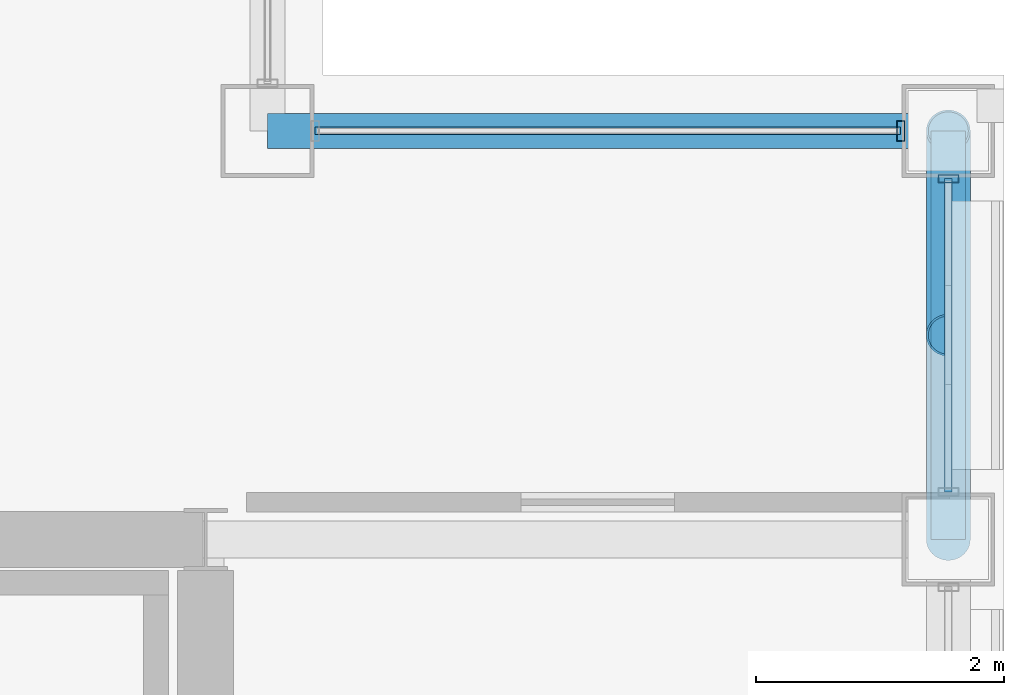
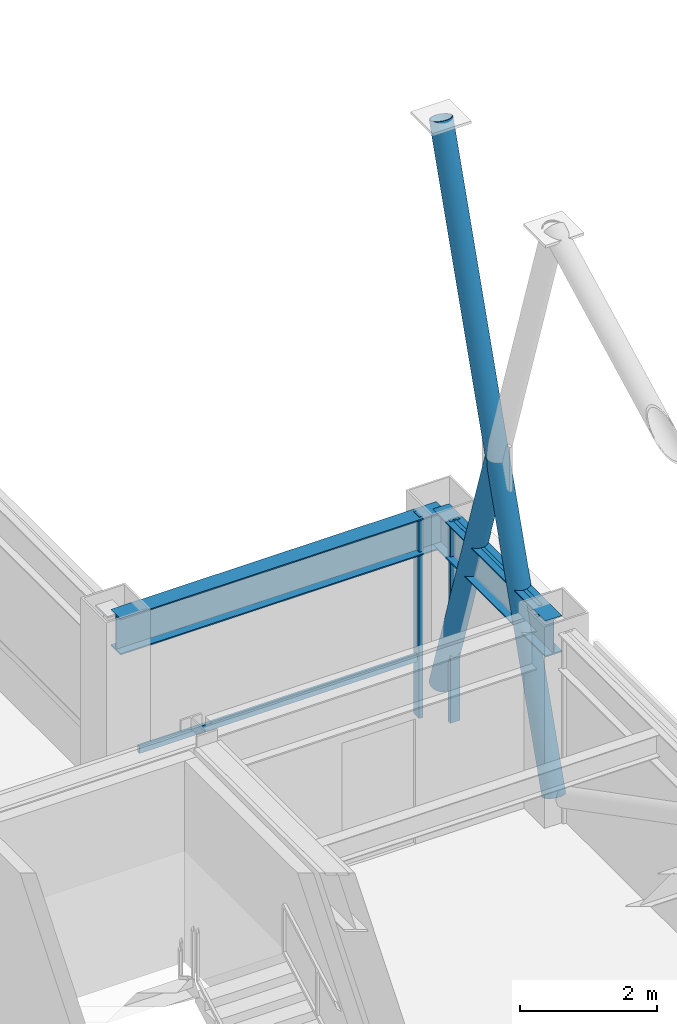
# One storey, part 24 of 32: 6 members, 2 beams, 2 elements without a shape of their own.
"""IFC4 building model written with IfcOpenShell, lengths in metres."""

from ifc_helpers import new_model, si_unit, direction, frame, origin, origin_2d, place, context, subcontext, project, spatial, hollow_rectangle, hollow_circle, i_section, extrude, material, layer, layer_set, material_profile, profile_set, type_object, element, aggregate, save


model = new_model("IFC4")

# Units and contexts
model_context = context("Model", 3, precision=1e-05, world=origin(), true_north=direction((0.0, 1.0)))
body_context = subcontext(model_context, "Body", "Model", "MODEL_VIEW")
ifc_project = project(units=[si_unit("LENGTHUNIT", "METRE"), si_unit("AREAUNIT", "SQUARE_METRE"), si_unit("VOLUMEUNIT", "CUBIC_METRE"), si_unit("PLANEANGLEUNIT", "RADIAN"), si_unit("MASSUNIT", "GRAM", prefix="KILO")], contexts=[model_context])

# Site, building, storey
site_placement = place(None, origin())
site = spatial("IfcSite", under=ifc_project, at=site_placement, CompositionType="ELEMENT")
building_placement = place(site_placement, origin())
building = spatial("IfcBuilding", under=site, at=building_placement, Name="Brelmoor Portico Tower", CompositionType="ELEMENT")
storey_placement = place(building_placement, frame((0.0, 0.0, 162.300048828125)))
storey = spatial("IfcBuildingStorey", under=building, at=storey_placement, Name="L42", CompositionType="ELEMENT", Elevation=162.300048828125)

# Beams
ifc_material_1 = material(Name="Steel Q355B", Category="steel")
ifc_material_profile_1 = material_profile(ifc_material_1, i_section(OverallWidth=0.280029296875, OverallDepth=0.64990234375, WebThickness=0.012939453125, FlangeThickness=0.02197265625, at=origin_2d()), Name="HN 650x280x13x22")
ifc_profile_set_1 = profile_set([ifc_material_profile_1], Name="Steel Q355B")
beam_type = type_object("IfcBeamType", Name="BM-SP-650", PredefinedType="SPANDREL", material=ifc_profile_set_1)
beam_1_placement = place(storey_placement, frame((15.050048828125, 13.050048828125, 3.074951171875), z_axis=(1.0, 0.0, 0.0), x_axis=(0.0, 1.0, 0.0)))
element("IfcBeam", 1, at=beam_1_placement, inside=storey, type_object=beam_type, Name="L42 Perimeter Spandrel Beam SP-07", PredefinedType="SPANDREL", context=body_context, shape_type="SweptSolid", body=[
    extrude(i_section(OverallWidth=0.280029296875, OverallDepth=0.64990234375, WebThickness=0.012939453125, FlangeThickness=0.02197265625, at=origin_2d()), origin(), (0.0, 0.0, 1.0), 5.5),
])
beam_2_placement = place(storey_placement, frame((20.550048828125, 9.75, 3.074951171875), z_axis=(0.0, 1.0, 0.0), x_axis=(-1.0, 0.0, 0.0)))
element("IfcBeam", 2, at=beam_2_placement, inside=storey, type_object=beam_type, Name="L42 Perimeter Spandrel Beam SP-20", PredefinedType="SPANDREL", context=body_context, shape_type="SweptSolid", body=[
    extrude(i_section(OverallWidth=0.280029296875, OverallDepth=0.64990234375, WebThickness=0.012939453125, FlangeThickness=0.02197265625, at=origin_2d()), origin(), (0.0, 0.0, 1.0), 3.300048828125),
])

# Members
ifc_material_profile_2 = material_profile(ifc_material_1, hollow_circle(Radius=0.177978515625, WallThickness=0.01611328125, at=origin_2d()), Name="CHS 356x16")
ifc_profile_set_2 = profile_set([ifc_material_profile_2], Name="Steel Q355B")
member_type_1 = type_object("IfcMemberType", Name="MB-BELT-DIAG2", PredefinedType="BRACE", material=ifc_profile_set_2)
member_1_placement = place(storey_placement, frame((20.550048828125, 9.75, 0.25), z_axis=(0.0, 0.310583561842, 0.950546080479), x_axis=(-1.0, 0.0, 0.0)))
element("IfcMember", 3, at=member_1_placement, inside=storey, type_object=member_type_1, Name="L42 Continuous Mega-X Brace 097A", PredefinedType="BRACE", context=body_context, shape_type="SweptSolid", body=[
    extrude(hollow_circle(Radius=0.177978515625, WallThickness=0.01611328125, at=origin_2d()), origin(), (0.0, 0.0, 1.0), 10.625244140625),
])
member_2_placement = place(storey_placement, frame((20.550048828125, 13.050048828125, 0.25), z_axis=(0.0, -0.310597538786, 0.950541513507), x_axis=(1.0, 0.0, 0.0)))
element("IfcMember", 4, at=member_2_placement, inside=storey, type_object=member_type_1, Name="L42 Split Mega-X Brace 097B1", PredefinedType="BRACE", context=body_context, shape_type="SweptSolid", body=[
    extrude(hollow_circle(Radius=0.177978515625, WallThickness=0.01611328125, at=origin_2d()), origin(), (0.0, 0.0, 1.0), 5.312744140625),
])

# Curtain wall, member
ifc_material_2 = material(Name="Anodised Aluminium Alloy 6063-T6", Category="aluminium")
ifc_layer_1 = layer(ifc_material_2, 0.179931640625)
ifc_layer_set_1 = layer_set([ifc_layer_1], Name="Anodised Aluminium Alloy 6063-T6")
curtain_wall_type_1 = type_object("IfcCurtainWallType", Name="CW-TOWER-Z3-XB", PredefinedType="NOTDEFINED", material=ifc_layer_set_1)
curtain_wall_1_placement = place(storey_placement, origin())
curtain_wall_1 = element("IfcCurtainWall", 5, at=curtain_wall_1_placement, inside=storey, type_object=curtain_wall_type_1, Name="L42 Curtain Wall CW-L42-04-3", PredefinedType="NOTDEFINED")
ifc_material_profile_3 = material_profile(ifc_material_2, hollow_rectangle(XDim=0.06494140625, YDim=0.1650390625, WallThickness=0.00390625, at=origin_2d()), Name="ALU MULLION 65x165")
ifc_profile_set_3 = profile_set([ifc_material_profile_3], Name="Anodised Aluminium Alloy 6063-T6")
member_type_2 = type_object("IfcMemberType", Name="MB-CW-MULL-165", PredefinedType="MULLION", material=ifc_profile_set_3)
member_3_placement = place(storey_placement, frame((20.550048828125, 12.6650390625, -0.199951171875), z_axis=(0.0, 0.0, 1.0), x_axis=(0.0, 1.0, 0.0)))
member_3 = element("IfcMember", 6, at=member_3_placement, type_object=member_type_2, Name="CW-L42-04-3 Mullion 01", PredefinedType="MULLION", context=body_context, shape_type="SweptSolid", body=[
    extrude(hollow_rectangle(XDim=0.06494140625, YDim=0.1650390625, WallThickness=0.00390625, at=origin_2d()), origin(), (0.0, 0.0, 1.0), 3.599853515625),
])

ifc_layer_2 = layer(ifc_material_2, 0.179931640625)
ifc_layer_set_2 = layer_set([ifc_layer_2], Name="Anodised Aluminium Alloy 6063-T6")
curtain_wall_type_2 = type_object("IfcCurtainWallType", Name="CW-NOTCH-CHAMFER", PredefinedType="NOTDEFINED", material=ifc_layer_set_2)
curtain_wall_2_placement = place(storey_placement, origin())
curtain_wall_2 = element("IfcCurtainWall", 7, at=curtain_wall_2_placement, inside=storey, type_object=curtain_wall_type_2, Name="L42 Curtain Wall CWN-L42-NEH", PredefinedType="NOTDEFINED")
member_4_placement = place(storey_placement, frame((20.1650390625, 13.050048828125, -0.199951171875), z_axis=(0.0, 0.0, 1.0), x_axis=(1.0, 0.0, 0.0)))
member_4 = element("IfcMember", 8, at=member_4_placement, type_object=member_type_2, Name="CWN-L42-NEH Mullion 01", PredefinedType="MULLION", context=body_context, shape_type="SweptSolid", body=[
    extrude(hollow_rectangle(XDim=0.06494140625, YDim=0.1650390625, WallThickness=0.00390625, at=origin_2d()), origin(), (0.0, 0.0, 1.0), 3.599853515625),
])

# Member
ifc_material_profile_4 = material_profile(ifc_material_2, hollow_rectangle(XDim=0.06005859375, YDim=0.125, WallThickness=0.00341796875, at=origin_2d()), Name="ALU TRANSOM 60x125")
ifc_profile_set_4 = profile_set([ifc_material_profile_4], Name="Anodised Aluminium Alloy 6063-T6")
member_type_3 = type_object("IfcMemberType", Name="MB-CW-TRAN-125", PredefinedType="USERDEFINED", material=ifc_profile_set_4)
member_5_placement = place(storey_placement, frame((20.550048828125, 10.135009765625, 3.33740234375), z_axis=(0.0, 1.0, 0.0), x_axis=(-1.0, 0.0, 0.0)))
member_5 = element("IfcMember", 9, at=member_5_placement, type_object=member_type_3, Name="CW-L42-04-3 Transom 1-00", ObjectType="TRANSOM", PredefinedType="USERDEFINED", context=body_context, shape_type="SweptSolid", body=[
    extrude(hollow_rectangle(XDim=0.06005859375, YDim=0.125, WallThickness=0.00341796875, at=origin_2d()), origin(), (0.0, 0.0, 1.0), 2.530029296875),
])

aggregate(curtain_wall_1, [member_3, member_5])

member_6_placement = place(storey_placement, frame((15.43505859375, 13.050048828125, 0.849853515625), z_axis=(1.0, 0.0, 0.0), x_axis=(0.0, 1.0, 0.0)))
member_6 = element("IfcMember", 10, at=member_6_placement, type_object=member_type_3, Name="CWN-L42-NEH Transom 1-00", ObjectType="TRANSOM", PredefinedType="USERDEFINED", context=body_context, shape_type="SweptSolid", body=[
    extrude(hollow_rectangle(XDim=0.06005859375, YDim=0.125, WallThickness=0.00341796875, at=origin_2d()), origin(), (0.0, 0.0, 1.0), 4.72998046875),
])

aggregate(curtain_wall_2, [member_4, member_6])

save(model, "model.ifc")
